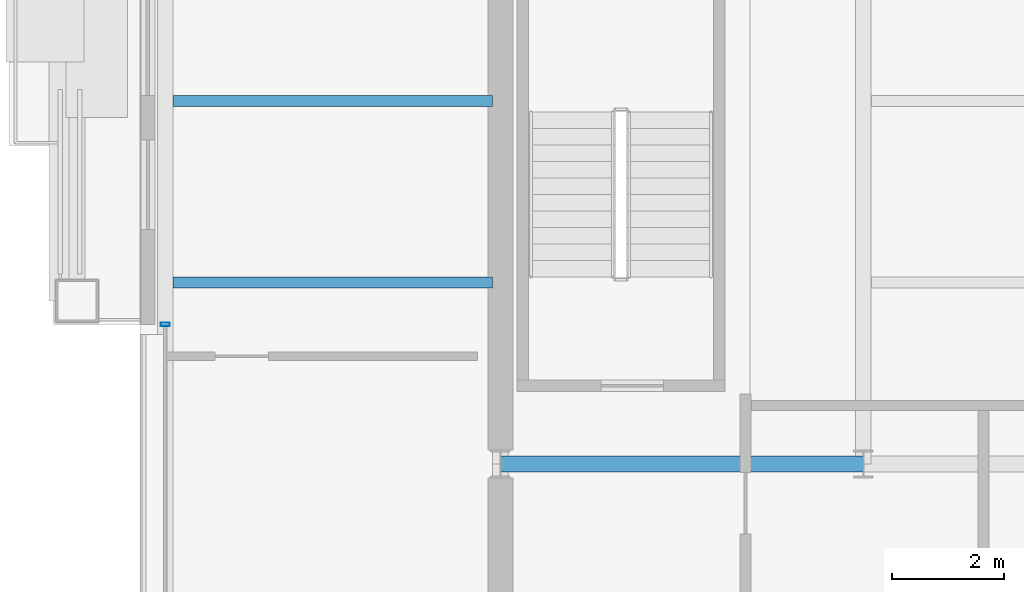
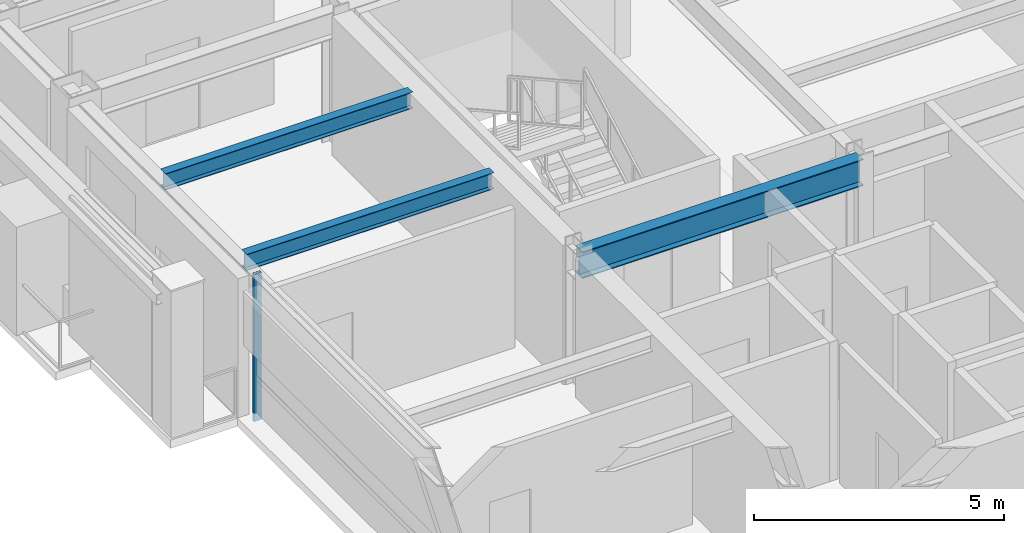
# One storey, part 10 of 31: 3 beams, 1 member, 1 element without a shape of its own.
"""IFC4 building model written with IfcOpenShell, lengths in metres."""

from ifc_helpers import new_model, si_unit, direction, frame, origin, origin_2d, place, context, subcontext, project, spatial, hollow_rectangle, i_section, extrude, material, layer, layer_set, material_profile, profile_set, type_object, element, aggregate, save


model = new_model("IFC4")

# Units and contexts
model_context = context("Model", 3, precision=1e-05, world=origin(), true_north=direction((0.0, 1.0)))
body_context = subcontext(model_context, "Body", "Model", "MODEL_VIEW")
ifc_project = project(units=[si_unit("LENGTHUNIT", "METRE"), si_unit("AREAUNIT", "SQUARE_METRE"), si_unit("VOLUMEUNIT", "CUBIC_METRE"), si_unit("PLANEANGLEUNIT", "RADIAN"), si_unit("MASSUNIT", "GRAM", prefix="KILO")], contexts=[model_context])

# Site, building, storey
site_placement = place(None, origin())
site = spatial("IfcSite", under=ifc_project, at=site_placement, CompositionType="ELEMENT")
building_placement = place(site_placement, origin())
building = spatial("IfcBuilding", under=site, at=building_placement, Name="Brelmoor Portico Tower", CompositionType="ELEMENT")
storey_placement = place(building_placement, frame((0.0, 0.0, 176.699951171875)))
storey = spatial("IfcBuildingStorey", under=building, at=storey_placement, Name="L46", CompositionType="ELEMENT", Elevation=176.699951171875)

# Beams
ifc_material_1 = material(Name="Steel Q355B", Category="steel")
ifc_material_profile_1 = material_profile(ifc_material_1, i_section(OverallWidth=0.199951171875, OverallDepth=0.39990234375, WebThickness=0.008056640625, FlangeThickness=0.012939453125, at=origin_2d()), Name="HN 400x200x8x13")
ifc_profile_set_1 = profile_set([ifc_material_profile_1], Name="Steel Q355B")
beam_type_1 = type_object("IfcBeamType", Name="BM-JS-400", PredefinedType="JOIST", material=ifc_profile_set_1)
for number, where, z_axis, x_axis, name in (
    (1, (-20.409912109375, 3.25, 3.199951171875), (1.0, 0.0, 0.0), (0.0, 1.0, 0.0), "L46 Secondary Wing Joist JS-W07"),
    (2, (-20.409912109375, 6.5, 3.199951171875), (1.0, 0.0, 0.0), (0.0, 1.0, 0.0), "L46 Secondary Wing Joist JS-W08"),
):
    element("IfcBeam", number, at=place(storey_placement, frame(where, z_axis=z_axis, x_axis=x_axis)), inside=storey, type_object=beam_type_1, Name=name, PredefinedType="JOIST", context=body_context, shape_type="SweptSolid", body=[
        extrude(i_section(OverallWidth=0.199951171875, OverallDepth=0.39990234375, WebThickness=0.008056640625, FlangeThickness=0.012939453125, at=origin_2d()), origin(), (0.0, 0.0, 1.0), 5.719970703125),
    ])
ifc_material_profile_2 = material_profile(ifc_material_1, i_section(OverallWidth=0.280029296875, OverallDepth=0.64990234375, WebThickness=0.012939453125, FlangeThickness=0.02197265625, at=origin_2d()), Name="HN 650x280x13x22")
ifc_profile_set_2 = profile_set([ifc_material_profile_2], Name="Steel Q355B")
beam_type_2 = type_object("IfcBeamType", Name="BM-PG-650", PredefinedType="BEAM", material=ifc_profile_set_2)
beam_placement = place(storey_placement, frame((-14.550048828125, 0.0, 3.074951171875), z_axis=(1.0, 0.0, 0.0), x_axis=(0.0, 1.0, 0.0)))
element("IfcBeam", 3, at=beam_placement, inside=storey, type_object=beam_type_2, Name="L46 Primary Floor Girder PG-16", PredefinedType="BEAM", context=body_context, shape_type="SweptSolid", body=[
    extrude(i_section(OverallWidth=0.280029296875, OverallDepth=0.64990234375, WebThickness=0.012939453125, FlangeThickness=0.02197265625, at=origin_2d()), origin(), (0.0, 0.0, 1.0), 6.5),
])

# Curtain wall, member
ifc_material_2 = material(Name="Anodised Aluminium Alloy 6063-T6", Category="aluminium")
ifc_layer = layer(ifc_material_2, 0.179931640625)
ifc_layer_set = layer_set([ifc_layer], Name="Anodised Aluminium Alloy 6063-T6")
curtain_wall_type = type_object("IfcCurtainWallType", Name="CW-TOWER-Z3", PredefinedType="NOTDEFINED", material=ifc_layer_set)
curtain_wall_placement = place(storey_placement, origin())
curtain_wall = element("IfcCurtainWall", 4, at=curtain_wall_placement, inside=storey, type_object=curtain_wall_type, Name="L46 Curtain Wall CW-L46-3L-2", PredefinedType="NOTDEFINED")
ifc_material_profile_3 = material_profile(ifc_material_2, hollow_rectangle(XDim=0.06494140625, YDim=0.1650390625, WallThickness=0.00390625, at=origin_2d()), Name="ALU MULLION 65x165")
ifc_profile_set_3 = profile_set([ifc_material_profile_3], Name="Anodised Aluminium Alloy 6063-T6")
member_type = type_object("IfcMemberType", Name="MB-CW-MULL-165", PredefinedType="MULLION", material=ifc_profile_set_3)
member_placement = place(storey_placement, frame((-20.550048828125, 2.5, -0.199951171875), z_axis=(0.0, 0.0, 1.0), x_axis=(0.0, 1.0, 0.0)))
member = element("IfcMember", 5, at=member_placement, type_object=member_type, Name="CW-L46-3L-2 Mullion 01", PredefinedType="MULLION", context=body_context, shape_type="SweptSolid", body=[
    extrude(hollow_rectangle(XDim=0.06494140625, YDim=0.1650390625, WallThickness=0.00390625, at=origin_2d()), origin(), (0.0, 0.0, 1.0), 3.60009765625),
])
aggregate(curtain_wall, [member])

save(model, "model.ifc")
